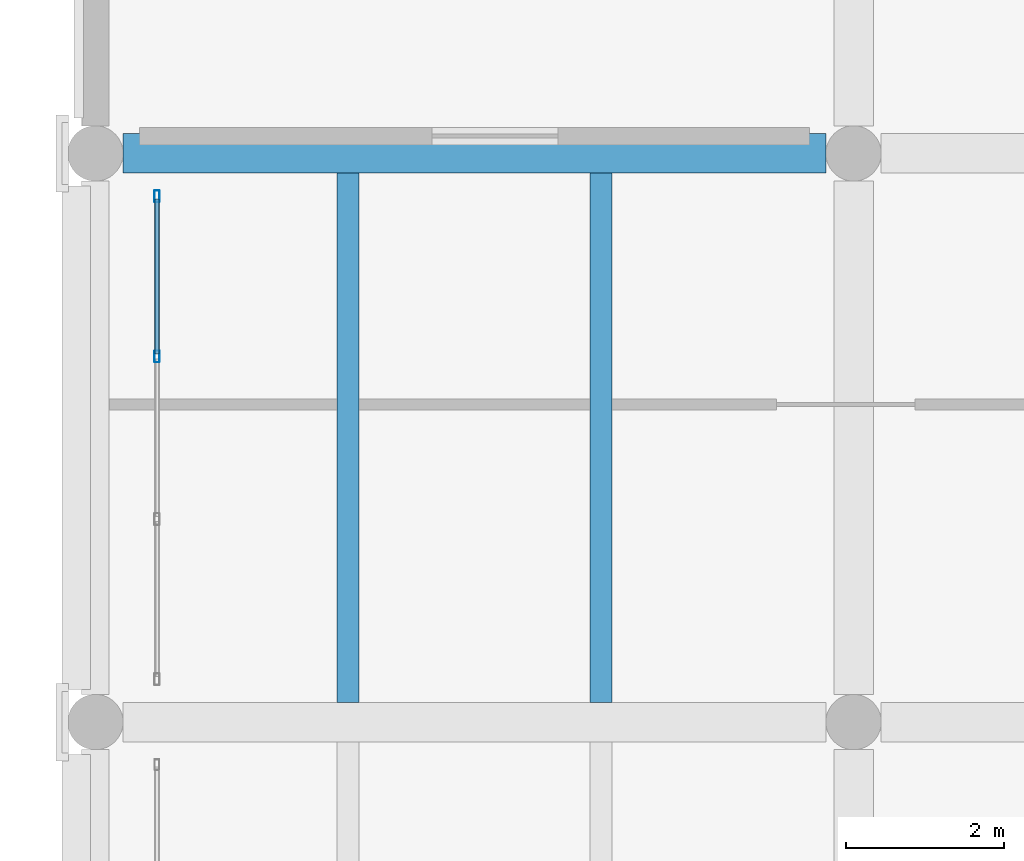
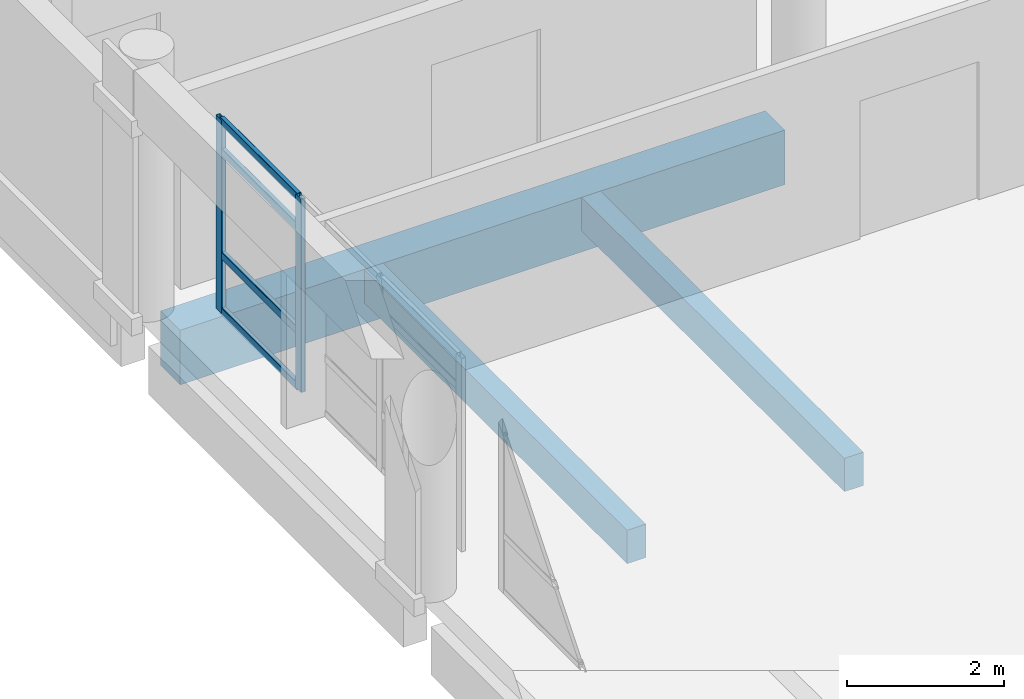
# One storey, part 16 of 180: 6 members, 3 beams, 1 element without a shape of its own.
"""IFC4 building model written with IfcOpenShell, lengths in metres."""

from ifc_helpers import new_model, si_unit, direction, frame, origin, origin_2d, place, context, subcontext, project, spatial, rectangle, hollow_rectangle, extrude, material, layer, layer_set, material_profile, profile_set, type_object, element, aggregate, save


model = new_model("IFC4")

# Units and contexts
model_context = context("Model", 3, precision=1e-05, world=origin(), true_north=direction((0.0, 1.0)))
body_context = subcontext(model_context, "Body", "Model", "MODEL_VIEW")
ifc_project = project(units=[si_unit("LENGTHUNIT", "METRE"), si_unit("AREAUNIT", "SQUARE_METRE"), si_unit("VOLUMEUNIT", "CUBIC_METRE"), si_unit("PLANEANGLEUNIT", "RADIAN"), si_unit("MASSUNIT", "GRAM", prefix="KILO")], contexts=[model_context])

# Site, building, storey
site_placement = place(None, origin())
site = spatial("IfcSite", under=ifc_project, at=site_placement, CompositionType="ELEMENT")
building_placement = place(site_placement, origin())
building = spatial("IfcBuilding", under=site, at=building_placement, Name="Asteropetra Specialist Clinic", CompositionType="ELEMENT")
storey_placement = place(building_placement, frame((0.0, 0.0, 4.419921875)))
storey = spatial("IfcBuildingStorey", under=building, at=storey_placement, Name="L01", CompositionType="ELEMENT", Elevation=4.419921875)

# Beam
ifc_material_1 = material(Name="Concrete C35/45", Category="concrete")
ifc_material_profile_1 = material_profile(ifc_material_1, rectangle(XDim=0.5, YDim=0.85009765625, at=origin_2d()), Name="RCB 500x850")
ifc_profile_set_1 = profile_set([ifc_material_profile_1], Name="Concrete C35/45")
beam_type_1 = type_object("IfcBeamType", Name="BM-RC500x850", PredefinedType="BEAM", material=ifc_profile_set_1)
beam_placement = place(storey_placement, frame((0.35009765625, 19.199951171875, -0.764892578125), z_axis=(1.0, 0.0, 0.0), x_axis=(0.0, 1.0, 0.0)))
element("IfcBeam", 1, at=beam_placement, inside=storey, type_object=beam_type_1, Name="Beam BBM03-0242", PredefinedType="BEAM", context=body_context, shape_type="SweptSolid", body=[
    extrude(rectangle(XDim=0.5, YDim=0.85009765625, at=origin_2d()), origin(), (0.0, 0.0, 1.0), 8.89990234375),
])

# Curtain wall, members
ifc_material_2 = material(Name="Aluminium and low-E glass", Category="aluminium")
ifc_layer = layer(ifc_material_2, 0.179931640625)
ifc_layer_set = layer_set([ifc_layer], Name="Aluminium and low-E glass")
curtain_wall_type = type_object("IfcCurtainWallType", Name="CW-SYS-10", PredefinedType="USERDEFINED", material=ifc_layer_set)
curtain_wall_placement = place(storey_placement, origin())
curtain_wall = element("IfcCurtainWall", 2, at=curtain_wall_placement, inside=storey, type_object=curtain_wall_type, Name="Curtain Wall CW-145", ObjectType="STICK GLAZED COLONNADE", PredefinedType="USERDEFINED")
ifc_material_3 = material(Name="Aluminium 6063-T6", Category="aluminium")
ifc_material_profile_2 = material_profile(ifc_material_3, hollow_rectangle(XDim=0.06494140625, YDim=0.14990234375, WallThickness=0.00390625, InnerFilletRadius=0.00390625, OuterFilletRadius=0.008056640625, at=origin_2d()), Name="MUL 150x65x4.0")
ifc_profile_set_2 = profile_set([ifc_material_profile_2], Name="Aluminium 6063-T6")
member_type_1 = type_object("IfcMemberType", Name="CWM-150x65", PredefinedType="MULLION", material=ifc_profile_set_2)
member_1_placement = place(storey_placement, frame((0.780029296875, 18.657470703125, 0.0), z_axis=(0.0, 0.0, 1.0), x_axis=(1.0, 0.0, 0.0)))
member_1 = element("IfcMember", 3, at=member_1_placement, type_object=member_type_1, Name="CW-145 mullion 1", PredefinedType="MULLION", context=body_context, shape_type="SweptSolid", body=[
    extrude(hollow_rectangle(XDim=0.06494140625, YDim=0.14990234375, WallThickness=0.00390625, InnerFilletRadius=0.00390625, OuterFilletRadius=0.008056640625, at=origin_2d()), origin(), (0.0, 0.0, 1.0), 3.010009765625),
])
member_2_placement = place(storey_placement, frame((0.780029296875, 16.6298828125, 0.0), z_axis=(0.0, 0.0, 1.0), x_axis=(1.0, 0.0, 0.0)))
member_2 = element("IfcMember", 4, at=member_2_placement, type_object=member_type_1, Name="CW-145 mullion 2", PredefinedType="MULLION", context=body_context, shape_type="SweptSolid", body=[
    extrude(hollow_rectangle(XDim=0.06494140625, YDim=0.14990234375, WallThickness=0.00390625, InnerFilletRadius=0.00390625, OuterFilletRadius=0.008056640625, at=origin_2d()), origin(), (0.0, 0.0, 1.0), 3.010009765625),
])
ifc_material_4 = material(Name="Aluminium 6063-T6", Category="aluminium")
ifc_material_profile_3 = material_profile(ifc_material_4, hollow_rectangle(XDim=0.06494140625, YDim=0.1201171875, WallThickness=0.00390625, InnerFilletRadius=0.00390625, OuterFilletRadius=0.008056640625, at=origin_2d()), Name="TRN 120x65x4.0")
ifc_profile_set_3 = profile_set([ifc_material_profile_3], Name="Aluminium 6063-T6")
member_type_2 = type_object("IfcMemberType", Name="CWT-120x65", PredefinedType="USERDEFINED", material=ifc_profile_set_3)
member_3_placement = place(storey_placement, frame((0.780029296875, 18.625, 0.032470703125), z_axis=(0.0, -1.0, 0.0), x_axis=(1.0, 0.0, 0.0)))
member_3 = element("IfcMember", 5, at=member_3_placement, type_object=member_type_2, Name="CW-145 transom 1.1", ObjectType="TRANSOM", PredefinedType="USERDEFINED", context=body_context, shape_type="SweptSolid", body=[
    extrude(hollow_rectangle(XDim=0.06494140625, YDim=0.1201171875, WallThickness=0.00390625, InnerFilletRadius=0.00390625, OuterFilletRadius=0.008056640625, at=origin_2d()), origin(), (0.0, 0.0, 1.0), 1.96240234375),
])
member_4_placement = place(storey_placement, frame((0.780029296875, 18.625, 0.900146484375), z_axis=(0.0, -1.0, 0.0), x_axis=(1.0, 0.0, 0.0)))
member_4 = element("IfcMember", 6, at=member_4_placement, type_object=member_type_2, Name="CW-145 transom 1.2", ObjectType="TRANSOM", PredefinedType="USERDEFINED", context=body_context, shape_type="SweptSolid", body=[
    extrude(hollow_rectangle(XDim=0.06494140625, YDim=0.1201171875, WallThickness=0.00390625, InnerFilletRadius=0.00390625, OuterFilletRadius=0.008056640625, at=origin_2d()), origin(), (0.0, 0.0, 1.0), 1.96240234375),
])
member_5_placement = place(storey_placement, frame((0.780029296875, 18.625, 2.510009765625), z_axis=(0.0, -1.0, 0.0), x_axis=(1.0, 0.0, 0.0)))
member_5 = element("IfcMember", 7, at=member_5_placement, type_object=member_type_2, Name="CW-145 transom 1.3", ObjectType="TRANSOM", PredefinedType="USERDEFINED", context=body_context, shape_type="SweptSolid", body=[
    extrude(hollow_rectangle(XDim=0.06494140625, YDim=0.1201171875, WallThickness=0.00390625, InnerFilletRadius=0.00390625, OuterFilletRadius=0.008056640625, at=origin_2d()), origin(), (0.0, 0.0, 1.0), 1.96240234375),
])
member_6_placement = place(storey_placement, frame((0.780029296875, 18.625, 2.9775390625), z_axis=(0.0, -1.0, 0.0), x_axis=(1.0, 0.0, 0.0)))
member_6 = element("IfcMember", 8, at=member_6_placement, type_object=member_type_2, Name="CW-145 transom 1.4", ObjectType="TRANSOM", PredefinedType="USERDEFINED", context=body_context, shape_type="SweptSolid", body=[
    extrude(hollow_rectangle(XDim=0.06494140625, YDim=0.1201171875, WallThickness=0.00390625, InnerFilletRadius=0.00390625, OuterFilletRadius=0.008056640625, at=origin_2d()), origin(), (0.0, 0.0, 1.0), 1.96240234375),
])
aggregate(curtain_wall, [member_1, member_2, member_3, member_4, member_5, member_6])

# Beams
ifc_material_5 = material(Name="Concrete C35/45", Category="concrete")
ifc_material_profile_4 = material_profile(ifc_material_5, rectangle(XDim=0.280029296875, YDim=0.52001953125, at=origin_2d()), Name="RCJ 280x520")
ifc_profile_set_4 = profile_set([ifc_material_profile_4], Name="Concrete C35/45")
beam_type_2 = type_object("IfcBeamType", Name="JST-RC280x520", PredefinedType="JOIST", material=ifc_profile_set_4)
for number, where, z_axis, x_axis, name in (
    (9, (3.199951171875, 12.25, -0.599853515625), (0.0, 1.0, 0.0), (-1.0, 0.0, 0.0), "Joist JJST01-0290"),
    (10, (6.39990234375, 12.25, -0.599853515625), (0.0, 1.0, 0.0), (-1.0, 0.0, 0.0), "Joist JJST01-0291"),
):
    element("IfcBeam", number, at=place(storey_placement, frame(where, z_axis=z_axis, x_axis=x_axis)), inside=storey, type_object=beam_type_2, Name=name, PredefinedType="JOIST", context=body_context, shape_type="SweptSolid", body=[
        extrude(rectangle(XDim=0.280029296875, YDim=0.52001953125, at=origin_2d()), origin(), (0.0, 0.0, 1.0), 6.699951171875),
    ])

save(model, "model.ifc")
